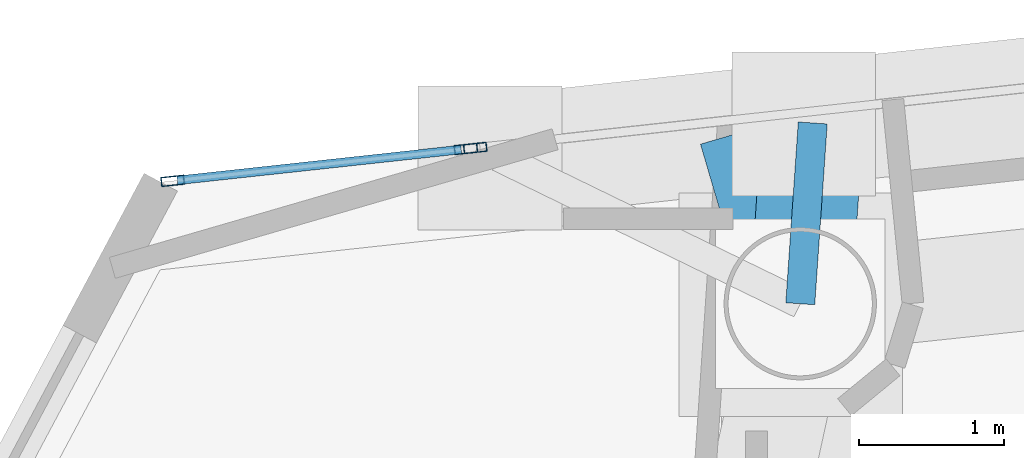
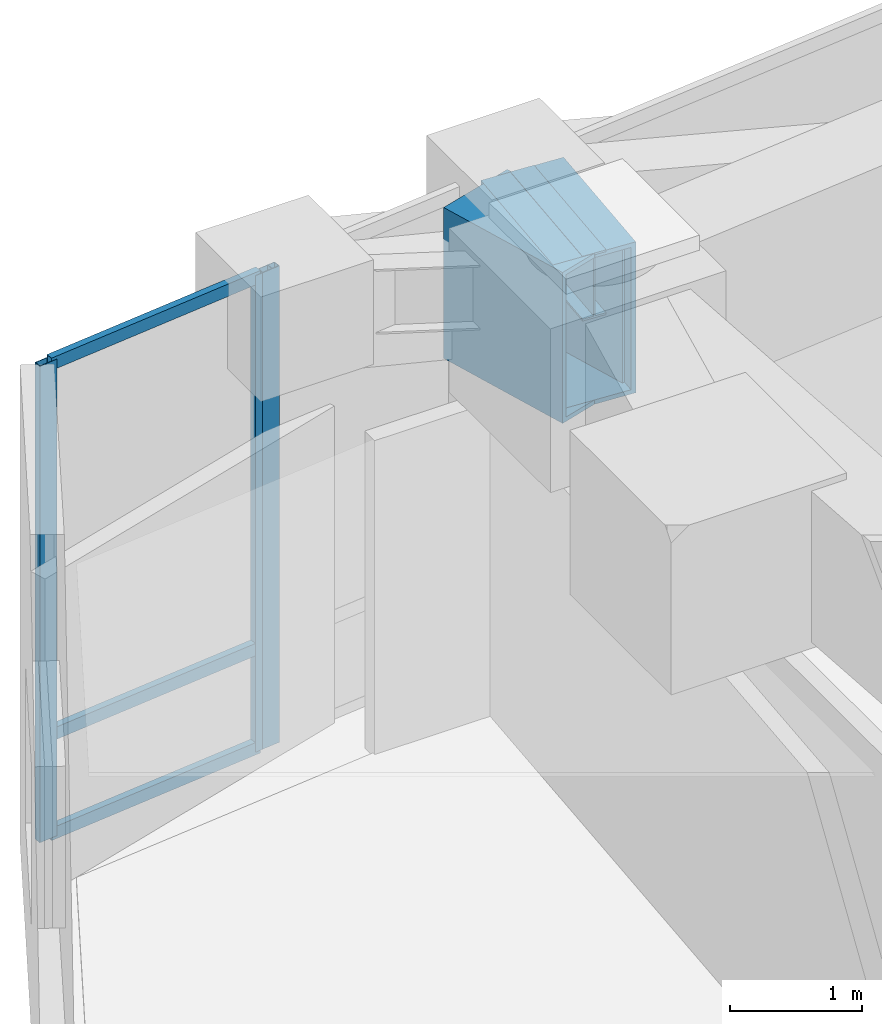
# One storey, part 9 of 21: 6 members, 3 beams, 2 elements without a shape of their own.
"""IFC4 building model written with IfcOpenShell, lengths in metres."""

from ifc_helpers import new_model, si_unit, direction, frame, origin, origin_2d, place, context, subcontext, project, spatial, hollow_rectangle, i_section, extrude, material, layer, layer_set, material_profile, profile_set, type_object, element, aggregate, save


model = new_model("IFC4")

# Units and contexts
model_context = context("Model", 3, precision=1e-05, world=origin(), true_north=direction((0.0, 1.0)))
body_context = subcontext(model_context, "Body", "Model", "MODEL_VIEW")
ifc_project = project(units=[si_unit("LENGTHUNIT", "METRE"), si_unit("AREAUNIT", "SQUARE_METRE"), si_unit("VOLUMEUNIT", "CUBIC_METRE"), si_unit("PLANEANGLEUNIT", "RADIAN"), si_unit("MASSUNIT", "GRAM", prefix="KILO")], contexts=[model_context])

# Site, building, storey
site_placement = place(None, origin())
site = spatial("IfcSite", under=ifc_project, at=site_placement, CompositionType="ELEMENT")
building_placement = place(site_placement, origin())
building = spatial("IfcBuilding", under=site, at=building_placement, Name="Qianvela Tower", CompositionType="ELEMENT")
storey_placement = place(building_placement, frame((0.0, 0.0, 276.0)))
storey = spatial("IfcBuildingStorey", under=building, at=storey_placement, Name="L71", CompositionType="ELEMENT", Elevation=276.0)

# Beams
ifc_material_1 = material(Name="Steel Q355B", Category="steel")
ifc_material_profile_1 = material_profile(ifc_material_1, i_section(OverallWidth=0.199951171875, OverallDepth=0.60009765625, WebThickness=0.010986328125, FlangeThickness=0.01708984375, at=origin_2d()), Name="HN600x200x11x17")
ifc_profile_set_1 = profile_set([ifc_material_profile_1], Name="Steel Q355B")
beam_type_1 = type_object("IfcBeamType", Name="BM-HN600-GIRD", PredefinedType="BEAM", material=ifc_profile_set_1)
beam_placement = place(storey_placement, frame((25.181884765625, 34.384033203125, 4.117919921875), z_axis=(0.068842363787, 0.997627550215, 0.0), x_axis=(-0.997627550215, 0.068842363787, 0.0)))
element("IfcBeam", 1, at=beam_placement, inside=storey, type_object=beam_type_1, Name="L71 Mega-Brace Column Tie Bracket F1-1", PredefinedType="BEAM", context=body_context, shape_type="SweptSolid", body=[
    extrude(i_section(OverallWidth=0.199951171875, OverallDepth=0.60009765625, WebThickness=0.010986328125, FlangeThickness=0.01708984375, at=origin_2d()), origin(), (0.0, 0.0, 1.0), 1.248291015625),
])
ifc_material_2 = material(Name="Steel Q420GJC", Category="steel")
ifc_material_profile_2 = material_profile(ifc_material_2, hollow_rectangle(XDim=0.699951171875, YDim=1.39990234375, WallThickness=0.0400390625, at=origin_2d()), Name="TG-BOX-1400x700x40")
ifc_profile_set_2 = profile_set([ifc_material_profile_2], Name="Steel Q420GJC")
beam_type_2 = type_object("IfcBeamType", Name="BM-TG-STEP-1400", PredefinedType="BEAM", material=ifc_profile_set_2)
for number, where, z_axis, x_axis, name in (
    (2, (25.181884765625, 34.384033203125, 3.715087890625), (0.068842363787, 0.997627550215, 0.0), (-0.997627550215, 0.068842363787, 0.0), "L71 Mega-Brace Zone Base Bracket F1-1"),
    (3, (25.181884765625, 34.384033203125, 3.715087890625), (-0.281636841632, 0.95952107295, 0.0), (-0.95952107295, -0.281636841632, 0.0), "L71 Mega-Brace Zone Base Bracket F1-2"),
):
    element("IfcBeam", number, at=place(storey_placement, frame(where, z_axis=z_axis, x_axis=x_axis)), inside=storey, type_object=beam_type_2, Name=name, PredefinedType="BEAM", context=body_context, shape_type="SweptSolid", body=[
        extrude(hollow_rectangle(XDim=0.699951171875, YDim=1.39990234375, WallThickness=0.0400390625, at=origin_2d()), origin(), (0.0, 0.0, 1.0), 1.248291015625),
    ])

# Curtain wall, member
ifc_material_3 = material(Name="Anodised Architectural Aluminium and Insulated Spandrel Panel", Category="aluminium")
ifc_layer_1 = layer(ifc_material_3, 0.179931640625)
ifc_layer_set_1 = layer_set([ifc_layer_1], Name="Anodised Architectural Aluminium and Insulated Spandrel Panel")
curtain_wall_type_1 = type_object("IfcCurtainWallType", Name="CW-BRACEBAY", PredefinedType="USERDEFINED", material=ifc_layer_set_1)
curtain_wall_1_placement = place(storey_placement, origin())
curtain_wall_1 = element("IfcCurtainWall", 4, at=curtain_wall_1_placement, inside=storey, type_object=curtain_wall_type_1, Name="L71 CW-BRACEBAY Curtain Wall 02B", ObjectType="CURTAIN_WALL_SYSTEM", PredefinedType="USERDEFINED")
ifc_material_4 = material(Name="Anodised Architectural Aluminium 6063-T6", Category="aluminium")
ifc_material_profile_3 = material_profile(ifc_material_4, hollow_rectangle(XDim=0.06494140625, YDim=0.159912109375, WallThickness=0.0048828125, at=origin_2d()), Name="ALU-MULL-65x160")
ifc_profile_set_3 = profile_set([ifc_material_profile_3], Name="Anodised Architectural Aluminium 6063-T6")
member_type_1 = type_object("IfcMemberType", Name="CW-BRACEBAY-MULL", PredefinedType="MULLION", material=ifc_profile_set_3)
member_1_placement = place(storey_placement, frame((22.943115234375, 35.45703125, 0.0), z_axis=(0.0, 0.0, 1.0), x_axis=(0.108121993618, -0.994137633578, 0.0)))
member_1 = element("IfcMember", 5, at=member_1_placement, type_object=member_type_1, Name="CW-9 mullion 3", PredefinedType="MULLION", context=body_context, shape_type="SweptSolid", body=[
    extrude(hollow_rectangle(XDim=0.06494140625, YDim=0.159912109375, WallThickness=0.0048828125, at=origin_2d()), origin(), (0.0, 0.0, 1.0), 4.419921875),
])
aggregate(curtain_wall_1, [member_1])

# Curtain wall, members
ifc_material_5 = material(Name="Anodised Architectural Aluminium and Low-E Glass", Category="aluminium")
ifc_layer_2 = layer(ifc_material_5, 0.159912109375)
ifc_layer_set_2 = layer_set([ifc_layer_2], Name="Anodised Architectural Aluminium and Low-E Glass")
curtain_wall_type_2 = type_object("IfcCurtainWallType", Name="CW-COLIV-Z56", PredefinedType="USERDEFINED", material=ifc_layer_set_2)
curtain_wall_2_placement = place(storey_placement, origin())
curtain_wall_2 = element("IfcCurtainWall", 6, at=curtain_wall_2_placement, inside=storey, type_object=curtain_wall_type_2, Name="L71 CW-COLIV-Z56 Curtain Wall 02C", ObjectType="CURTAIN_WALL_SYSTEM", PredefinedType="USERDEFINED")
ifc_material_6 = material(Name="Anodised Architectural Aluminium 6063-T6", Category="aluminium")
ifc_material_profile_4 = material_profile(ifc_material_6, hollow_rectangle(XDim=0.06494140625, YDim=0.159912109375, WallThickness=0.0048828125, at=origin_2d()), Name="ALU-MULL-65x160")
ifc_profile_set_4 = profile_set([ifc_material_profile_4], Name="Anodised Architectural Aluminium 6063-T6")
member_type_2 = type_object("IfcMemberType", Name="CW-COLIV-Z56-MULL", PredefinedType="MULLION", material=ifc_profile_set_4)
member_2_placement = place(storey_placement, frame((22.87841796875, 35.4501953125, 0.0), z_axis=(0.0, 0.0, 1.0), x_axis=(0.108117587042, -0.994138112825, 0.0)))
member_2 = element("IfcMember", 7, at=member_2_placement, type_object=member_type_2, Name="CW-5 mullion 1", PredefinedType="MULLION", context=body_context, shape_type="SweptSolid", body=[
    extrude(hollow_rectangle(XDim=0.06494140625, YDim=0.159912109375, WallThickness=0.0048828125, at=origin_2d()), origin(), (0.0, 0.0, 1.0), 4.419921875),
])
member_3_placement = place(storey_placement, frame((20.8583984375, 35.23046875, 0.0), z_axis=(0.0, 0.0, 1.0), x_axis=(0.108117587042, -0.994138112825, 0.0)))
member_3 = element("IfcMember", 8, at=member_3_placement, type_object=member_type_2, Name="CW-5 mullion 2", PredefinedType="MULLION", context=body_context, shape_type="SweptSolid", body=[
    extrude(hollow_rectangle(XDim=0.06494140625, YDim=0.159912109375, WallThickness=0.0048828125, at=origin_2d()), origin(), (0.0, 0.0, 1.0), 4.419921875),
])
ifc_material_7 = material(Name="Anodised Architectural Aluminium 6063-T6", Category="aluminium")
ifc_material_profile_5 = material_profile(ifc_material_7, hollow_rectangle(XDim=0.06005859375, YDim=0.114990234375, WallThickness=0.00390625, at=origin_2d()), Name="ALU-TRAN-60x115")
ifc_profile_set_5 = profile_set([ifc_material_profile_5], Name="Anodised Architectural Aluminium 6063-T6")
member_type_3 = type_object("IfcMemberType", Name="CW-COLIV-Z56-TRAN", PredefinedType="USERDEFINED", material=ifc_profile_set_5)
member_4_placement = place(storey_placement, frame((22.84619140625, 35.446533203125, 0.030029296875), z_axis=(-0.994138373961, -0.108115185881, 0.0), x_axis=(0.108115185881, -0.994138373961, 0.0)))
member_4 = element("IfcMember", 9, at=member_4_placement, type_object=member_type_3, Name="CW-5 transom 1.1", ObjectType="TRANSOM", PredefinedType="USERDEFINED", context=body_context, shape_type="SweptSolid", body=[
    extrude(hollow_rectangle(XDim=0.06005859375, YDim=0.114990234375, WallThickness=0.00390625, at=origin_2d()), origin(), (0.0, 0.0, 1.0), 1.966796875),
])
member_5_placement = place(storey_placement, frame((22.84619140625, 35.446533203125, 0.949951171875), z_axis=(-0.994138373961, -0.108115185881, 0.0), x_axis=(0.108115185881, -0.994138373961, 0.0)))
member_5 = element("IfcMember", 10, at=member_5_placement, type_object=member_type_3, Name="CW-5 transom 1.2", ObjectType="TRANSOM", PredefinedType="USERDEFINED", context=body_context, shape_type="SweptSolid", body=[
    extrude(hollow_rectangle(XDim=0.06005859375, YDim=0.114990234375, WallThickness=0.00390625, at=origin_2d()), origin(), (0.0, 0.0, 1.0), 1.966796875),
])
member_6_placement = place(storey_placement, frame((22.84619140625, 35.446533203125, 4.389892578125), z_axis=(-0.994138373961, -0.108115185881, 0.0), x_axis=(0.108115185881, -0.994138373961, 0.0)))
member_6 = element("IfcMember", 11, at=member_6_placement, type_object=member_type_3, Name="CW-5 transom 1.3", ObjectType="TRANSOM", PredefinedType="USERDEFINED", context=body_context, shape_type="SweptSolid", body=[
    extrude(hollow_rectangle(XDim=0.06005859375, YDim=0.114990234375, WallThickness=0.00390625, at=origin_2d()), origin(), (0.0, 0.0, 1.0), 1.966796875),
])
aggregate(curtain_wall_2, [member_2, member_3, member_4, member_5, member_6])

save(model, "model.ifc")
